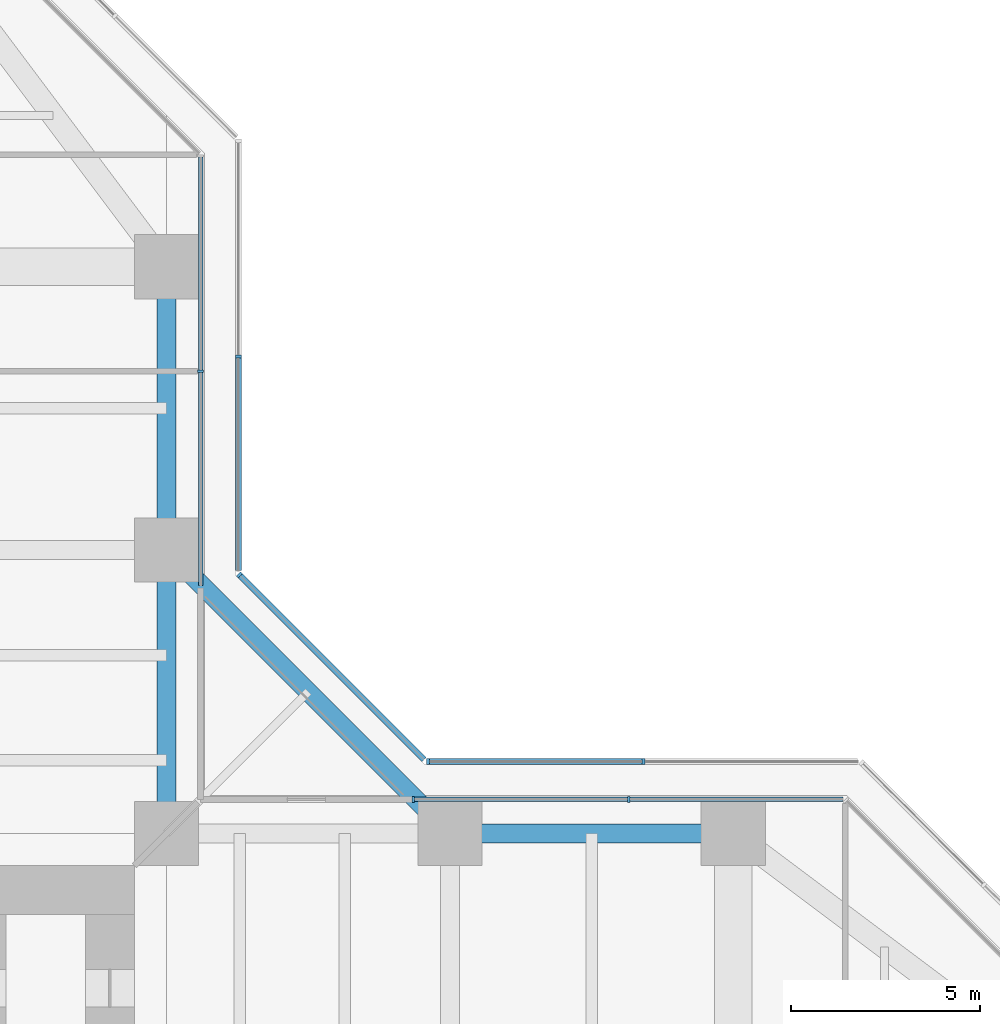
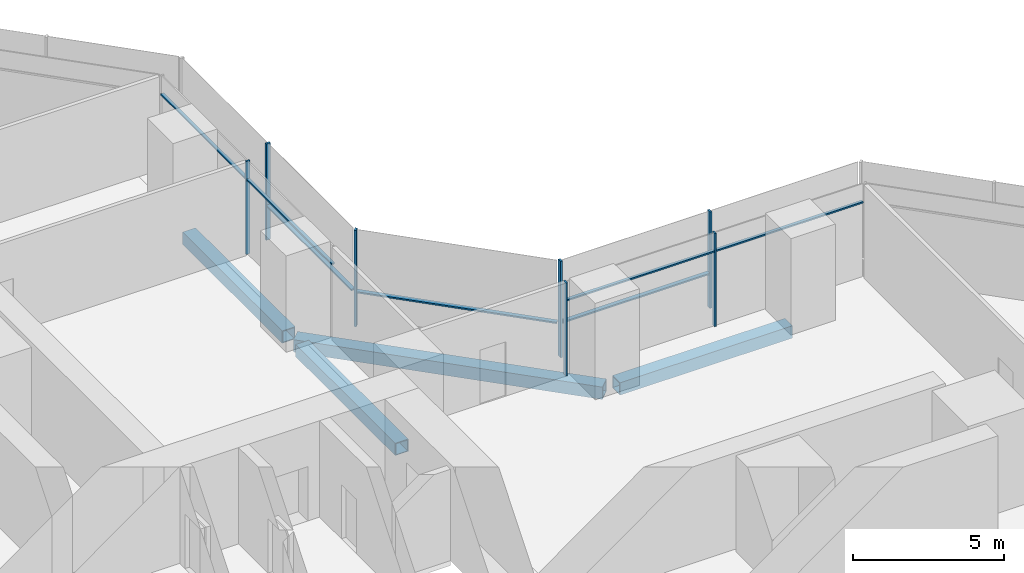
# One storey, part 11 of 22: 14 members, 4 beams, 5 elements without a shape of their own.
"""IFC4 building model written with IfcOpenShell, lengths in metres."""

from ifc_helpers import new_model, si_unit, direction, frame, origin, origin_2d, place, context, subcontext, project, spatial, rectangle, hollow_rectangle, extrude, material, material_profile, profile_set, type_object, element, aggregate, save


model = new_model("IFC4")

# Units and contexts
model_context = context("Model", 3, precision=1e-05, world=origin(), true_north=direction((0.0, 1.0)))
body_context = subcontext(model_context, "Body", "Model", "MODEL_VIEW")
ifc_project = project(units=[si_unit("LENGTHUNIT", "METRE"), si_unit("AREAUNIT", "SQUARE_METRE"), si_unit("VOLUMEUNIT", "CUBIC_METRE"), si_unit("PLANEANGLEUNIT", "RADIAN"), si_unit("MASSUNIT", "GRAM", prefix="KILO")], contexts=[model_context])

# Site, building, storey
site_placement = place(None, origin())
site = spatial("IfcSite", under=ifc_project, at=site_placement, CompositionType="ELEMENT")
building_placement = place(site_placement, origin())
building = spatial("IfcBuilding", under=site, at=building_placement, Name="Mizan Broadcast Tower", CompositionType="ELEMENT")
storey_placement = place(building_placement, frame((0.0, 0.0, 51.300048828125)))
storey = spatial("IfcBuildingStorey", under=building, at=storey_placement, Name="L09", CompositionType="ELEMENT", Elevation=51.300048828125)

# Beams
ifc_material_1 = material(Name="Steel S355", Category="steel")
ifc_material_profile_1 = material_profile(ifc_material_1, hollow_rectangle(XDim=0.5, YDim=0.5, WallThickness=0.030029296875, at=origin_2d()), Name="BOX 500x500x30")
ifc_profile_set_1 = profile_set([ifc_material_profile_1], Name="Steel S355")
beam_type = type_object("IfcBeamType", Name="EDGE BEAM BOX 500x500x30", PredefinedType="SPANDREL", material=ifc_profile_set_1)
for number, where, z_axis, x_axis, name in (
    (1, (19.949951171875, 12.0, -0.380126953125), (1.0, 0.0, 0.0), (0.0, 1.0, 0.0), "Edge beam BOX 500x500x30 L09 east arm"),
    (2, (12.0, 12.449951171875, -0.380126953125), (0.0, 1.0, 0.0), (-1.0, 0.0, 0.0), "Edge beam BOX 500x500x30 L09 north arm"),
    (3, (12.0, 19.949951171875, -0.380126953125), (0.0, 1.0, 0.0), (-1.0, 0.0, 0.0), "Edge beam BOX 500x500x30 L09 north arm"),
):
    element("IfcBeam", number, at=place(storey_placement, frame(where, z_axis=z_axis, x_axis=x_axis)), inside=storey, type_object=beam_type, Name=name, PredefinedType="SPANDREL", context=body_context, shape_type="SweptSolid", body=[
        extrude(hollow_rectangle(XDim=0.5, YDim=0.5, WallThickness=0.030029296875, at=origin_2d()), origin(), (0.0, 0.0, 1.0), 6.60009765625),
    ])
beam_placement = place(storey_placement, frame((19.5, 12.0, -0.380126953125), z_axis=(-0.707106781187, 0.707106781187, 0.0), x_axis=(-0.707106781187, -0.707106781187, 0.0)))
element("IfcBeam", 4, at=beam_placement, inside=storey, type_object=beam_type, Name="Winter garden edge beam L09 E", PredefinedType="SPANDREL", context=body_context, shape_type="SweptSolid", body=[
    extrude(hollow_rectangle(XDim=0.5, YDim=0.5, WallThickness=0.030029296875, at=origin_2d()), origin(), (0.0, 0.0, 1.0), 10.606689453125),
])

# Curtain wall, members
ifc_material_2 = material(Name="Aluminium framed glazing", Category="aluminium")
curtain_wall_type_1 = type_object("IfcCurtainWallType", Name="INNER SKIN LOW ZONE", PredefinedType="USERDEFINED", material=ifc_material_2)
curtain_wall_1_placement = place(storey_placement, origin())
curtain_wall_1 = element("IfcCurtainWall", 5, at=curtain_wall_1_placement, inside=storey, type_object=curtain_wall_type_1, Name="Inner skin low zone L09 E side", ObjectType="INNER SKIN LOW ZONE", PredefinedType="USERDEFINED")
ifc_material_3 = material(Name="Aluminium, pale anodised", Category="aluminium")
ifc_material_profile_2 = material_profile(ifc_material_3, rectangle(XDim=0.159912109375, YDim=0.06005859375, at=origin_2d()), Name="MULLION 160x60")
ifc_profile_set_2 = profile_set([ifc_material_profile_2], Name="Aluminium, pale anodised")
member_type_1 = type_object("IfcMemberType", Name="INNER SKIN MULLION 60x160", PredefinedType="MULLION", material=ifc_profile_set_2)
member_1_placement = place(storey_placement, frame((24.229248046875, 12.89990234375, 0.0), z_axis=(0.0, 0.0, 1.0), x_axis=(0.0, -1.0, 0.0)))
member_1 = element("IfcMember", 6, at=member_1_placement, type_object=member_type_1, Name="Inner skin low zone L09 E side mullion 2", PredefinedType="MULLION", context=body_context, shape_type="SweptSolid", body=[
    extrude(rectangle(XDim=0.159912109375, YDim=0.06005859375, at=origin_2d()), origin(), (0.0, 0.0, 1.0), 3.77001953125),
])
member_2_placement = place(storey_placement, frame((18.530029296875, 12.89990234375, 0.0), z_axis=(0.0, 0.0, 1.0), x_axis=(0.0, -1.0, 0.0)))
member_2 = element("IfcMember", 7, at=member_2_placement, type_object=member_type_1, Name="Inner skin low zone L09 E side mullion 3", PredefinedType="MULLION", context=body_context, shape_type="SweptSolid", body=[
    extrude(rectangle(XDim=0.159912109375, YDim=0.06005859375, at=origin_2d()), origin(), (0.0, 0.0, 1.0), 3.77001953125),
])

# Curtain wall, member
curtain_wall_2_placement = place(storey_placement, origin())
curtain_wall_2 = element("IfcCurtainWall", 8, at=curtain_wall_2_placement, inside=storey, type_object=curtain_wall_type_1, Name="Inner skin low zone L09 N side", ObjectType="INNER SKIN LOW ZONE", PredefinedType="USERDEFINED")
member_3_placement = place(storey_placement, frame((12.89990234375, 24.229248046875, 0.0), z_axis=(0.0, 0.0, 1.0), x_axis=(-1.0, 0.0, 0.0)))
member_3 = element("IfcMember", 9, at=member_3_placement, type_object=member_type_1, Name="Inner skin low zone L09 N side mullion 2", PredefinedType="MULLION", context=body_context, shape_type="SweptSolid", body=[
    extrude(rectangle(XDim=0.159912109375, YDim=0.06005859375, at=origin_2d()), origin(), (0.0, 0.0, 1.0), 3.77001953125),
])

# Member
ifc_material_4 = material(Name="Aluminium, pale anodised", Category="aluminium")
ifc_material_profile_3 = material_profile(ifc_material_4, rectangle(XDim=0.1201171875, YDim=0.06005859375, at=origin_2d()), Name="TRANSOM 120x60")
ifc_profile_set_3 = profile_set([ifc_material_profile_3], Name="Aluminium, pale anodised")
member_type_2 = type_object("IfcMemberType", Name="INNER SKIN TRANSOM 60x120", PredefinedType="USERDEFINED", material=ifc_profile_set_3)
member_4_placement = place(storey_placement, frame((29.898681640625, 12.89990234375, 3.030029296875), z_axis=(-1.0, 0.0, 0.0), x_axis=(0.0, -1.0, 0.0)))
member_4 = element("IfcMember", 10, at=member_4_placement, type_object=member_type_2, Name="Inner skin low zone L09 E side transom 1.1", ObjectType="TRANSOM", PredefinedType="USERDEFINED", context=body_context, shape_type="SweptSolid", body=[
    extrude(rectangle(XDim=0.1201171875, YDim=0.06005859375, at=origin_2d()), origin(), (0.0, 0.0, 1.0), 5.639404296875),
])

member_5_placement = place(storey_placement, frame((24.19921875, 12.89990234375, 3.030029296875), z_axis=(-1.0, 0.0, 0.0), x_axis=(0.0, -1.0, 0.0)))
member_5 = element("IfcMember", 11, at=member_5_placement, type_object=member_type_2, Name="Inner skin low zone L09 E side transom 2.1", ObjectType="TRANSOM", PredefinedType="USERDEFINED", context=body_context, shape_type="SweptSolid", body=[
    extrude(rectangle(XDim=0.1201171875, YDim=0.06005859375, at=origin_2d()), origin(), (0.0, 0.0, 1.0), 5.63916015625),
])

aggregate(curtain_wall_1, [member_1, member_2, member_4, member_5])

member_6_placement = place(storey_placement, frame((12.89990234375, 18.56005859375, 3.030029296875), z_axis=(0.0, 1.0, 0.0), x_axis=(-1.0, 0.0, 0.0)))
member_6 = element("IfcMember", 12, at=member_6_placement, type_object=member_type_2, Name="Inner skin low zone L09 N side transom 1.1", ObjectType="TRANSOM", PredefinedType="USERDEFINED", context=body_context, shape_type="SweptSolid", body=[
    extrude(rectangle(XDim=0.1201171875, YDim=0.06005859375, at=origin_2d()), origin(), (0.0, 0.0, 1.0), 5.63916015625),
])

member_7_placement = place(storey_placement, frame((12.89990234375, 24.25927734375, 3.030029296875), z_axis=(0.0, 1.0, 0.0), x_axis=(-1.0, 0.0, 0.0)))
member_7 = element("IfcMember", 13, at=member_7_placement, type_object=member_type_2, Name="Inner skin low zone L09 N side transom 2.1", ObjectType="TRANSOM", PredefinedType="USERDEFINED", context=body_context, shape_type="SweptSolid", body=[
    extrude(rectangle(XDim=0.1201171875, YDim=0.06005859375, at=origin_2d()), origin(), (0.0, 0.0, 1.0), 5.639404296875),
])

aggregate(curtain_wall_2, [member_3, member_6, member_7])

# Curtain wall, members
ifc_material_5 = material(Name="Aluminium framed glazing", Category="aluminium")
curtain_wall_type_2 = type_object("IfcCurtainWallType", Name="OUTER SKIN", PredefinedType="USERDEFINED", material=ifc_material_5)
curtain_wall_3_placement = place(storey_placement, origin())
curtain_wall_3 = element("IfcCurtainWall", 14, at=curtain_wall_3_placement, inside=storey, type_object=curtain_wall_type_2, Name="Outer skin L09 E side", ObjectType="OUTER SKIN", PredefinedType="USERDEFINED")
ifc_material_6 = material(Name="Aluminium, pale anodised", Category="aluminium")
ifc_material_profile_4 = material_profile(ifc_material_6, rectangle(XDim=0.159912109375, YDim=0.080078125, at=origin_2d()), Name="MULLION 160x80")
ifc_profile_set_4 = profile_set([ifc_material_profile_4], Name="Aluminium, pale anodised")
member_type_3 = type_object("IfcMemberType", Name="OUTER SKIN MULLION 80x160", PredefinedType="MULLION", material=ifc_profile_set_4)
member_8_placement = place(storey_placement, frame((24.622802734375, 13.89990234375, 0.0), z_axis=(0.0, 0.0, 1.0), x_axis=(0.0, -1.0, 0.0)))
member_8 = element("IfcMember", 15, at=member_8_placement, type_object=member_type_3, Name="Outer skin L09 E side mullion 2", PredefinedType="MULLION", context=body_context, shape_type="SweptSolid", body=[
    extrude(rectangle(XDim=0.159912109375, YDim=0.080078125, at=origin_2d()), origin(), (0.0, 0.0, 1.0), 3.89990234375),
])
member_9_placement = place(storey_placement, frame((18.912841796875, 13.89990234375, 0.0), z_axis=(0.0, 0.0, 1.0), x_axis=(0.0, -1.0, 0.0)))
member_9 = element("IfcMember", 16, at=member_9_placement, type_object=member_type_3, Name="Outer skin L09 E side mullion 3", PredefinedType="MULLION", context=body_context, shape_type="SweptSolid", body=[
    extrude(rectangle(XDim=0.159912109375, YDim=0.080078125, at=origin_2d()), origin(), (0.0, 0.0, 1.0), 3.89990234375),
])

# Curtain wall, member
curtain_wall_4_placement = place(storey_placement, origin())
curtain_wall_4 = element("IfcCurtainWall", 17, at=curtain_wall_4_placement, inside=storey, type_object=curtain_wall_type_2, Name="Outer skin L09 E chamfer", ObjectType="OUTER SKIN", PredefinedType="USERDEFINED")
member_10_placement = place(storey_placement, frame((13.92822265625, 18.844482421875, 0.0), z_axis=(0.0, 0.0, 1.0), x_axis=(-0.707106781187, -0.707106781187, 0.0)))
member_10 = element("IfcMember", 18, at=member_10_placement, type_object=member_type_3, Name="Outer skin L09 E chamfer mullion 2", PredefinedType="MULLION", context=body_context, shape_type="SweptSolid", body=[
    extrude(rectangle(XDim=0.159912109375, YDim=0.080078125, at=origin_2d()), origin(), (0.0, 0.0, 1.0), 3.89990234375),
])

curtain_wall_5_placement = place(storey_placement, origin())
curtain_wall_5 = element("IfcCurtainWall", 19, at=curtain_wall_5_placement, inside=storey, type_object=curtain_wall_type_2, Name="Outer skin L09 N side", ObjectType="OUTER SKIN", PredefinedType="USERDEFINED")
member_11_placement = place(storey_placement, frame((13.89990234375, 24.622802734375, 0.0), z_axis=(0.0, 0.0, 1.0), x_axis=(-1.0, 0.0, 0.0)))
member_11 = element("IfcMember", 20, at=member_11_placement, type_object=member_type_3, Name="Outer skin L09 N side mullion 2", PredefinedType="MULLION", context=body_context, shape_type="SweptSolid", body=[
    extrude(rectangle(XDim=0.159912109375, YDim=0.080078125, at=origin_2d()), origin(), (0.0, 0.0, 1.0), 3.89990234375),
])

# Member
ifc_material_7 = material(Name="Aluminium, pale anodised", Category="aluminium")
ifc_material_profile_5 = material_profile(ifc_material_7, rectangle(XDim=0.159912109375, YDim=0.06005859375, at=origin_2d()), Name="TRANSOM 160x60")
ifc_profile_set_5 = profile_set([ifc_material_profile_5], Name="Aluminium, pale anodised")
member_type_4 = type_object("IfcMemberType", Name="OUTER SKIN TRANSOM 60x160", PredefinedType="USERDEFINED", material=ifc_profile_set_5)
member_12_placement = place(storey_placement, frame((24.582763671875, 13.89990234375, 1.39990234375), z_axis=(-1.0, 0.0, 0.0), x_axis=(0.0, -1.0, 0.0)))
member_12 = element("IfcMember", 21, at=member_12_placement, type_object=member_type_4, Name="Outer skin L09 E side transom 2.1", ObjectType="TRANSOM", PredefinedType="USERDEFINED", context=body_context, shape_type="SweptSolid", body=[
    extrude(rectangle(XDim=0.159912109375, YDim=0.06005859375, at=origin_2d()), origin(), (0.0, 0.0, 1.0), 5.6298828125),
])

aggregate(curtain_wall_3, [member_8, member_9, member_12])

member_13_placement = place(storey_placement, frame((18.816162109375, 13.95654296875, 1.39990234375), z_axis=(-0.707106781187, 0.707106781187, 0.0), x_axis=(-0.707106781187, -0.707106781187, 0.0)))
member_13 = element("IfcMember", 22, at=member_13_placement, type_object=member_type_4, Name="Outer skin L09 E chamfer transom 1.1", ObjectType="TRANSOM", PredefinedType="USERDEFINED", context=body_context, shape_type="SweptSolid", body=[
    extrude(rectangle(XDim=0.159912109375, YDim=0.06005859375, at=origin_2d()), origin(), (0.0, 0.0, 1.0), 6.87255859375),
])

aggregate(curtain_wall_4, [member_10, member_13])

member_14_placement = place(storey_placement, frame((13.89990234375, 18.952880859375, 1.39990234375), z_axis=(0.0, 1.0, 0.0), x_axis=(-1.0, 0.0, 0.0)))
member_14 = element("IfcMember", 23, at=member_14_placement, type_object=member_type_4, Name="Outer skin L09 N side transom 1.1", ObjectType="TRANSOM", PredefinedType="USERDEFINED", context=body_context, shape_type="SweptSolid", body=[
    extrude(rectangle(XDim=0.159912109375, YDim=0.06005859375, at=origin_2d()), origin(), (0.0, 0.0, 1.0), 5.6298828125),
])

aggregate(curtain_wall_5, [member_11, member_14])

save(model, "model.ifc")
